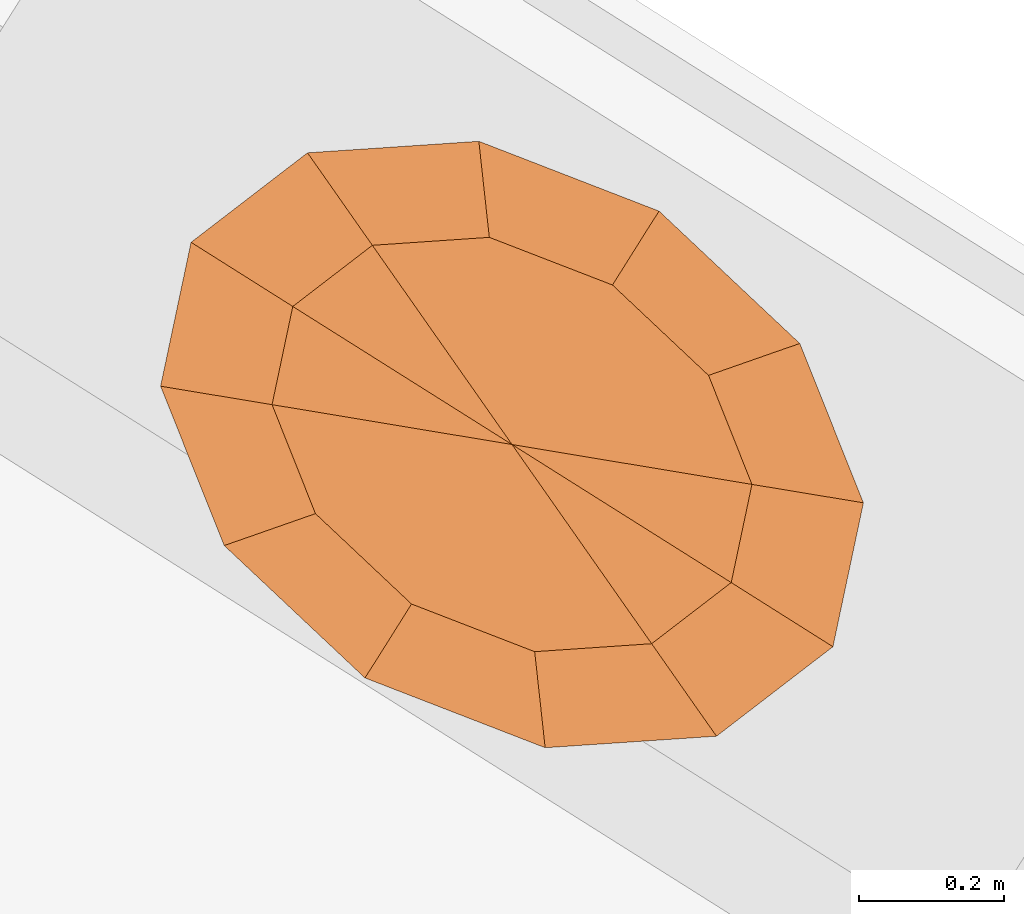
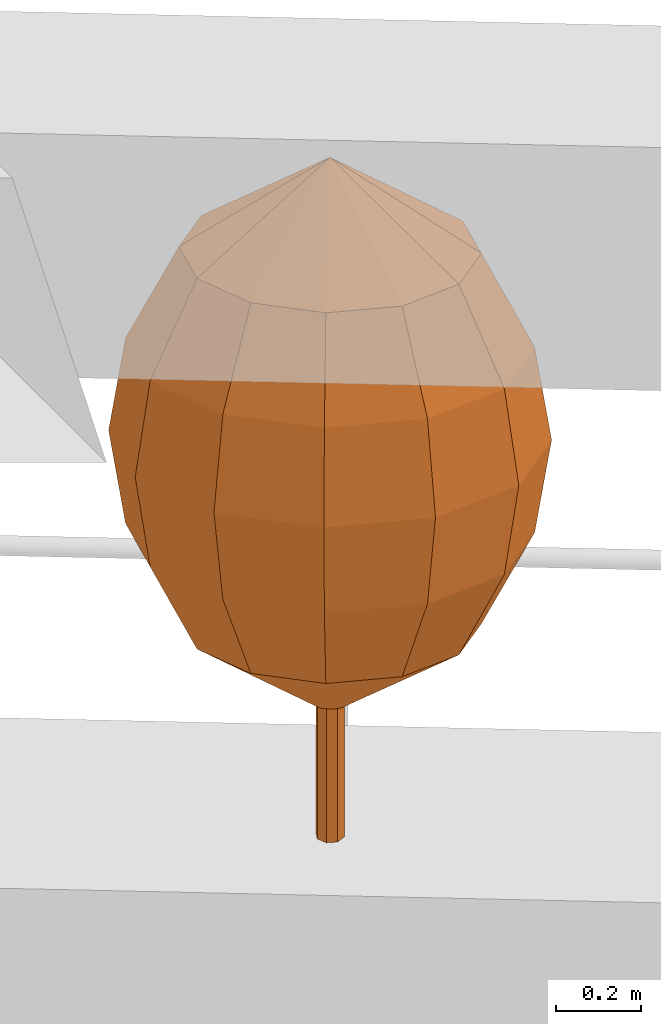
# One storey, part 12 of 12: 1 geographic element.
"""IFC4 building model written with IfcOpenShell, lengths in metres."""

from ifc_helpers import new_model, si_unit, direction, frame, origin, place, context, subcontext, project, spatial, faceted_brep, material, constituent, constituent_set, type_object, element, save


model = new_model("IFC4")

# Units and contexts
model_context = context("Model", 3, precision=1e-05, world=origin(), true_north=direction((0.0, 1.0)))
body_context = subcontext(model_context, "Body", "Model", "MODEL_VIEW")
ifc_project = project(units=[si_unit("LENGTHUNIT", "METRE"), si_unit("AREAUNIT", "SQUARE_METRE"), si_unit("VOLUMEUNIT", "CUBIC_METRE"), si_unit("PLANEANGLEUNIT", "RADIAN"), si_unit("MASSUNIT", "GRAM", prefix="KILO")], contexts=[model_context])

# Site, building, storey
site_placement = place(None, origin())
site = spatial("IfcSite", under=ifc_project, at=site_placement, CompositionType="ELEMENT")
building_placement = place(site_placement, origin())
building = spatial("IfcBuilding", under=site, at=building_placement, Name="Taillehof Tower", CompositionType="ELEMENT")
storey_placement = place(building_placement, frame((0.0, 0.0, 195.800048828125)))
storey = spatial("IfcBuildingStorey", under=building, at=storey_placement, Name="L55", CompositionType="ELEMENT", Elevation=195.800048828125)

# Geographic element
ifc_material_1 = material(Name="Tree bark", Category="timber")
ifc_constituent_1 = constituent(ifc_material_1, Name="Trunk", Category="timber")
ifc_material_2 = material(Name="Tree foliage")
ifc_constituent_2 = constituent(ifc_material_2, Name="Crown")
ifc_constituent_set = constituent_set(constituents=[ifc_constituent_1, ifc_constituent_2], Name="Tree TR2 Fastigiate yew")
geographic_element_type = type_object("IfcGeographicElementType", Name="Tree TR2 Fastigiate yew", PredefinedType="USERDEFINED", material=ifc_constituent_set)
geographic_element_placement = place(storey_placement, frame((15.544921875, 19.98828125, 0.75)))
element("IfcGeographicElement", 1, at=geographic_element_placement, inside=storey, type_object=geographic_element_type, Name="Tree TR2 Fastigiate yew", ObjectType="TREE", PredefinedType="USERDEFINED", context=body_context, shape_type="Brep", body=[
    faceted_brep([(0.034912109375, 0.0, 0.0), (0.024658203125, 0.024658203125, 0.0), (0.024658203125, 0.024658203125, 0.909912109375), (0.034912109375, 0.0, 0.909912109375), (0.0, 0.034912109375, 0.0), (0.0, 0.034912109375, 0.909912109375), (-0.024658203125, 0.024658203125, 0.0), (-0.024658203125, 0.024658203125, 0.909912109375), (-0.034912109375, 0.0, 0.0), (-0.034912109375, 0.0, 0.909912109375), (-0.024658203125, -0.024658203125, 0.0), (-0.024658203125, -0.024658203125, 0.909912109375), (0.0, -0.034912109375, 0.0), (0.0, -0.034912109375, 0.909912109375), (0.024658203125, -0.024658203125, 0.0), (0.024658203125, -0.024658203125, 0.909912109375)], [[[0, 1, 2, 3]], [[1, 4, 5, 2]], [[4, 6, 7, 5]], [[6, 8, 9, 7]], [[8, 10, 11, 9]], [[10, 12, 13, 11]], [[12, 14, 15, 13]], [[14, 0, 3, 15]], [[14, 12, 10, 8, 6, 4, 1, 0]], [[3, 2, 5, 7, 9, 11, 13, 15]]]),
    faceted_brep([(0.0, 0.0, 0.35009765625), (-0.33056640625, 0.054931640625, 0.61669921875), (-0.302001953125, 0.190185546875, 0.61669921875), (-0.270751953125, -0.09521484375, 0.61669921875), (-0.138427734375, -0.2197265625, 0.61669921875), (0.03125, -0.285400390625, 0.61669921875), (0.1923828125, -0.2744140625, 0.61669921875), (0.302001953125, -0.190185546875, 0.61669921875), (0.33056640625, -0.054931640625, 0.61669921875), (0.270751953125, 0.09521484375, 0.61669921875), (0.138427734375, 0.2197265625, 0.61669921875), (-0.03125, 0.285400390625, 0.61669921875), (-0.1923828125, 0.2744140625, 0.61669921875), (-0.447265625, 0.07421875, 0.88330078125), (-0.408447265625, 0.25732421875, 0.88330078125), (-0.3662109375, -0.128662109375, 0.88330078125), (-0.18701171875, -0.297119140625, 0.88330078125), (0.042236328125, -0.385986328125, 0.88330078125), (0.26025390625, -0.371337890625, 0.88330078125), (0.408447265625, -0.25732421875, 0.88330078125), (0.447265625, -0.07421875, 0.88330078125), (0.3662109375, 0.128662109375, 0.88330078125), (0.18701171875, 0.297119140625, 0.88330078125), (-0.042236328125, 0.385986328125, 0.88330078125), (-0.26025390625, 0.371337890625, 0.88330078125), (-0.484130859375, 0.080322265625, 1.14990234375), (-0.442138671875, 0.278564453125, 1.14990234375), (-0.396484375, -0.13916015625, 1.14990234375), (-0.20263671875, -0.321533203125, 1.14990234375), (0.045654296875, -0.417724609375, 1.14990234375), (0.28173828125, -0.40185546875, 1.14990234375), (0.442138671875, -0.278564453125, 1.14990234375), (0.484130859375, -0.080322265625, 1.14990234375), (0.396484375, 0.13916015625, 1.14990234375), (0.20263671875, 0.321533203125, 1.14990234375), (-0.045654296875, 0.417724609375, 1.14990234375), (-0.28173828125, 0.40185546875, 1.14990234375), (-0.447265625, 0.07421875, 1.416748046875), (-0.408447265625, 0.25732421875, 1.416748046875), (-0.3662109375, -0.128662109375, 1.416748046875), (-0.18701171875, -0.297119140625, 1.416748046875), (0.042236328125, -0.385986328125, 1.416748046875), (0.26025390625, -0.371337890625, 1.416748046875), (0.408447265625, -0.25732421875, 1.416748046875), (0.447265625, -0.07421875, 1.416748046875), (0.3662109375, 0.128662109375, 1.416748046875), (0.18701171875, 0.297119140625, 1.416748046875), (-0.042236328125, 0.385986328125, 1.416748046875), (-0.26025390625, 0.371337890625, 1.416748046875), (-0.33056640625, 0.054931640625, 1.683349609375), (-0.302001953125, 0.190185546875, 1.683349609375), (-0.270751953125, -0.09521484375, 1.683349609375), (-0.138427734375, -0.2197265625, 1.683349609375), (0.03125, -0.285400390625, 1.683349609375), (0.1923828125, -0.2744140625, 1.683349609375), (0.302001953125, -0.190185546875, 1.683349609375), (0.33056640625, -0.054931640625, 1.683349609375), (0.270751953125, 0.09521484375, 1.683349609375), (0.138427734375, 0.2197265625, 1.683349609375), (-0.03125, 0.285400390625, 1.683349609375), (-0.1923828125, 0.2744140625, 1.683349609375), (0.0, 0.0, 1.949951171875)], [[[0, 1, 2]], [[0, 3, 1]], [[0, 4, 3]], [[0, 5, 4]], [[0, 6, 5]], [[0, 7, 6]], [[0, 8, 7]], [[0, 9, 8]], [[0, 10, 9]], [[0, 11, 10]], [[0, 12, 11]], [[0, 2, 12]], [[2, 1, 13, 14]], [[1, 3, 15, 13]], [[3, 4, 16, 15]], [[4, 5, 17, 16]], [[5, 6, 18, 17]], [[6, 7, 19, 18]], [[7, 8, 20, 19]], [[8, 9, 21, 20]], [[9, 10, 22, 21]], [[10, 11, 23, 22]], [[11, 12, 24, 23]], [[12, 2, 14, 24]], [[14, 13, 25, 26]], [[13, 15, 27, 25]], [[15, 16, 28, 27]], [[16, 17, 29, 28]], [[17, 18, 30, 29]], [[18, 19, 31, 30]], [[19, 20, 32, 31]], [[20, 21, 33, 32]], [[21, 22, 34, 33]], [[22, 23, 35, 34]], [[23, 24, 36, 35]], [[24, 14, 26, 36]], [[26, 25, 37, 38]], [[25, 27, 39, 37]], [[27, 28, 40, 39]], [[28, 29, 41, 40]], [[29, 30, 42, 41]], [[30, 31, 43, 42]], [[31, 32, 44, 43]], [[32, 33, 45, 44]], [[33, 34, 46, 45]], [[34, 35, 47, 46]], [[35, 36, 48, 47]], [[36, 26, 38, 48]], [[38, 37, 49, 50]], [[37, 39, 51, 49]], [[39, 40, 52, 51]], [[40, 41, 53, 52]], [[41, 42, 54, 53]], [[42, 43, 55, 54]], [[43, 44, 56, 55]], [[44, 45, 57, 56]], [[45, 46, 58, 57]], [[46, 47, 59, 58]], [[47, 48, 60, 59]], [[48, 38, 50, 60]], [[50, 49, 61]], [[49, 51, 61]], [[51, 52, 61]], [[52, 53, 61]], [[53, 54, 61]], [[54, 55, 61]], [[55, 56, 61]], [[56, 57, 61]], [[57, 58, 61]], [[58, 59, 61]], [[59, 60, 61]], [[60, 50, 61]]]),
])

save(model, "model.ifc")
